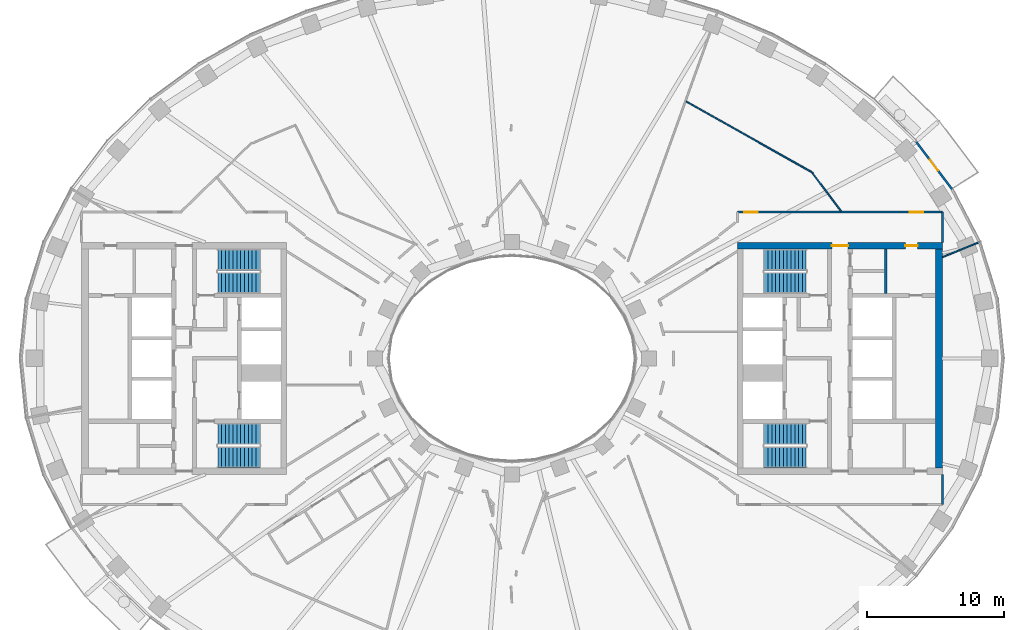
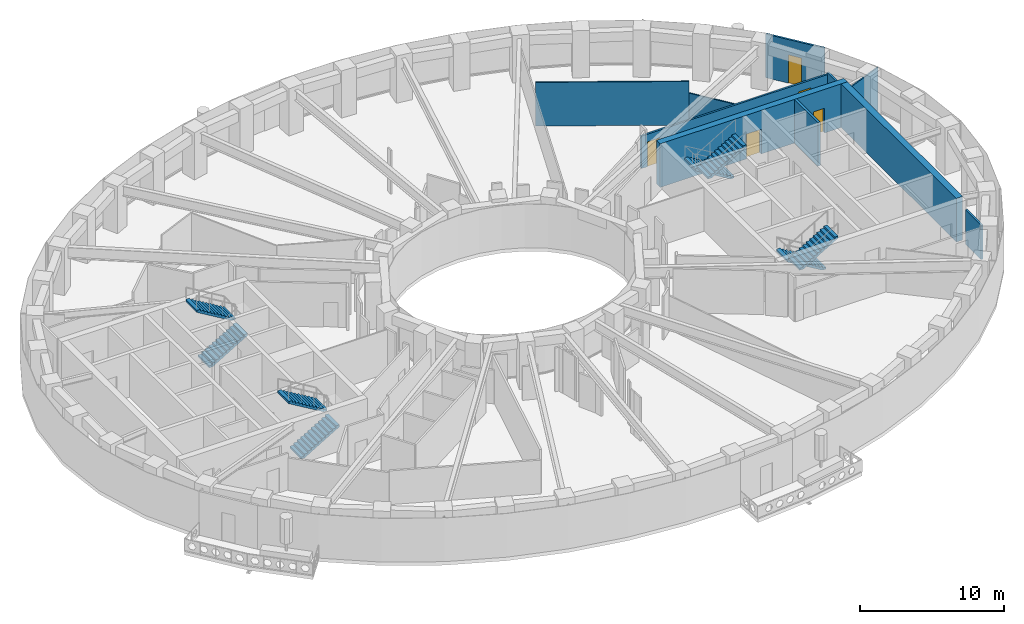
# One storey, part 7 of 16: 10 walls, 8 stair flights, 5 doors, 5 openings, 4 elements without a shape of their own.
"""IFC4 building model written with IfcOpenShell, lengths in metres."""

import ifcopenshell
import ifcopenshell.guid

model = None  # the IFC model being written
_history = None  # IfcOwnerHistory: only IFC2X3 demands one
_inside = {}  # id of a spatial element -> (the spatial element, [elements in it])
_under = {}  # id of a project, library or spatial element -> (it, [spatial elements below it])
_declared = {}  # id of a project -> (the project, [libraries it declares])
_typed = {}  # id of a type object -> (the type object, [elements of that type])
_made_of = {}  # id of a material, layer set ... -> (it, [elements and type objects made of it])


def new_model(schema):
    """Start an empty IFC model of exactly this schema.

    Asked for "IFC4X3", IfcOpenShell would pick the latest addendum, in which some entities
    have other attributes; the version numbers below select the first issue.
    IFC2X3 requires an IfcOwnerHistory on every rooted entity: one is made here for all.
    """
    global model, _history
    if schema == "IFC4X3":
        model = ifcopenshell.file(schema_version=(4, 3, 0, 0))
    else:
        model = ifcopenshell.file(schema=schema)
    _inside.clear()
    _under.clear()
    _declared.clear()
    _typed.clear()
    _made_of.clear()
    _history = None
    if model.schema == "IFC2X3":
        org = make("IfcOrganization", Name="unknown")
        user = make(
            "IfcPersonAndOrganization",
            ThePerson=make("IfcPerson", FamilyName="unknown"),
            TheOrganization=org,
        )
        app = make(
            "IfcApplication",
            ApplicationDeveloper=org,
            Version="unknown",
            ApplicationFullName="unknown",
            ApplicationIdentifier="unknown",
        )
        _history = make(
            "IfcOwnerHistory",
            OwningUser=user,
            OwningApplication=app,
            ChangeAction="ADDED",
            CreationDate=0,
        )
    return model


def make(cls, **values):
    """One entity of the class cls with the attributes given. An attribute that is None is left unset."""
    return model.create_entity(
        cls, **{name: value for name, value in values.items() if value is not None}
    )


def rooted(cls, **values):
    """An entity with a GlobalId (a new one), such as an element, a storey or a relation."""
    return make(cls, GlobalId=ifcopenshell.guid.new(), OwnerHistory=_history, **values)


def si_unit(unit_type, name, prefix=None):
    """IfcSIUnit, for example si_unit("LENGTHUNIT", "METRE", prefix="MILLI")."""
    return make("IfcSIUnit", UnitType=unit_type, Prefix=prefix, Name=name)


def assignment(units):
    """IfcUnitAssignment: the units of a project."""
    return None if units is None else make("IfcUnitAssignment", Units=units)


def point(xyz):
    """IfcCartesianPoint."""
    return None if xyz is None else make("IfcCartesianPoint", Coordinates=xyz)


def direction(xyz):
    """IfcDirection."""
    return None if xyz is None else make("IfcDirection", DirectionRatios=xyz)


def frame(location, z_axis=None, x_axis=None):
    """IfcAxis2Placement3D, a coordinate frame: its origin and axes. An axis left out is left unset."""
    return make(
        "IfcAxis2Placement3D",
        Location=point(location),
        Axis=direction(z_axis),
        RefDirection=direction(x_axis),
    )


def frame_2d(location, x_axis=None):
    """IfcAxis2Placement2D, a coordinate frame in the plane: its origin and x axis."""
    return make(
        "IfcAxis2Placement2D", Location=point(location), RefDirection=direction(x_axis)
    )


def origin():
    """The frame at (0, 0, 0) with its axes left unset."""
    return frame((0.0, 0.0, 0.0))


def place(relative_to, where):
    """IfcLocalPlacement: puts the frame where relative to a parent placement (None: the world)."""
    return make(
        "IfcLocalPlacement", PlacementRelTo=relative_to, RelativePlacement=where
    )


def context(
    kind, dimensions, precision=None, world=None, true_north=None, identifier=None
):
    """IfcGeometricRepresentationContext, for example the 3D "Model" context."""
    return make(
        "IfcGeometricRepresentationContext",
        ContextIdentifier=identifier,
        ContextType=kind,
        CoordinateSpaceDimension=dimensions,
        Precision=precision,
        WorldCoordinateSystem=world,
        TrueNorth=true_north,
    )


def subcontext(parent, identifier, kind, view, scale=None):
    """IfcGeometricRepresentationSubContext, for example "Body" below "Model"."""
    return make(
        "IfcGeometricRepresentationSubContext",
        ContextIdentifier=identifier,
        ContextType=kind,
        ParentContext=parent,
        TargetScale=scale,
        TargetView=view,
    )


def project(units=None, contexts=None):
    """IfcProject with its units and contexts."""
    return rooted(
        "IfcProject",
        Name="project",
        RepresentationContexts=contexts,
        UnitsInContext=assignment(units),
    )


def spatial(cls, under=None, at=None, **own):
    """A site, building, storey or space (cls), placed at a placement, below another one or the project."""
    s = rooted(cls, ObjectPlacement=at, **own)
    if under is not None:
        _under.setdefault(under.id(), (under, []))[1].append(s)
    return s


def polyline(points):
    """IfcPolyline through the points."""
    return make("IfcPolyline", Points=[point(p) for p in points])


def profile(cls, at=None, kind="AREA", **sizes):
    """A parametric profile (cls). Its sizes go by their IFC names, for example OverallWidth=200.0."""
    return make(cls, ProfileType=kind, Position=at, **sizes)


def rectangle(**sizes):
    """IfcRectangleProfileDef."""
    return profile("IfcRectangleProfileDef", **sizes)


def outline(outer, holes=None, kind="AREA"):
    """IfcArbitraryClosedProfileDef: a profile drawn as a closed curve; with holes, ...WithVoids."""
    if holes is None:
        return make("IfcArbitraryClosedProfileDef", ProfileType=kind, OuterCurve=outer)
    return make(
        "IfcArbitraryProfileDefWithVoids",
        ProfileType=kind,
        OuterCurve=outer,
        InnerCurves=holes,
    )


def extrude(swept, where, along, depth):
    """IfcExtrudedAreaSolid: the profile swept, set in the frame where, extruded along a direction by depth."""
    return make(
        "IfcExtrudedAreaSolid",
        SweptArea=swept,
        Position=where,
        ExtrudedDirection=direction(along),
        Depth=depth,
    )


def shape(context_of_items, identifier, shape_type, items):
    """IfcShapeRepresentation: the items that make up one representation, for example the "Body"."""
    return make(
        "IfcShapeRepresentation",
        ContextOfItems=context_of_items,
        RepresentationIdentifier=identifier,
        RepresentationType=shape_type,
        Items=items,
    )


def material(Name=None, Category=None):
    """IfcMaterial."""
    return make("IfcMaterial", Name=Name, Category=Category)


def layer(
    of_material, thickness, ventilated=None, Name=None, Category=None, Priority=None
):
    """IfcMaterialLayer: one layer of a wall or slab, of a material (None: an air gap)."""
    return make(
        "IfcMaterialLayer",
        Material=of_material,
        LayerThickness=thickness,
        IsVentilated=ventilated,
        Name=Name,
        Category=Category,
        Priority=Priority,
    )


def layer_set(layers, Name=None):
    """IfcMaterialLayerSet."""
    return make("IfcMaterialLayerSet", MaterialLayers=layers, LayerSetName=Name)


def made_of(thing, what):
    """Note that an element or type object is made of a material, layer set ...; save() writes the relation."""
    if what is not None:
        _made_of.setdefault(what.id(), (what, []))[1].append(thing)
    return thing


def type_object(cls, material=None, **own):
    """A type object (cls), such as IfcWallType, which elements share."""
    return made_of(rooted(cls, **own), material)


def element(
    cls,
    number,
    at=None,
    inside=None,
    cuts=None,
    type_object=None,
    material=None,
    context=None,
    identifier="Body",
    shape_type=None,
    held_by="IfcProductDefinitionShape",
    body=None,
    shapes=None,
    **own,
):
    """One element of the class cls, such as IfcWall. Its Tag is "e" and its number.

    at: its placement. inside: the storey or other place that contains it. cuts: it is an
    opening in that element (IfcRelVoidsElement). A single representation is given by context,
    identifier, shape_type and body (its items); several are given by shapes. held_by: the class
    of the entity that holds the representations. save() writes the other relations.
    """
    e = rooted(cls, Tag="e%d" % number, ObjectPlacement=at, **own)
    if body is not None:
        shapes = [shape(context, identifier, shape_type, body)]
    if shapes is not None:
        e.Representation = make(held_by, Representations=shapes)
    if inside is not None:
        _inside.setdefault(inside.id(), (inside, []))[1].append(e)
    if cuts is not None:
        rooted(
            "IfcRelVoidsElement", RelatingBuildingElement=cuts, RelatedOpeningElement=e
        )
    if type_object is not None:
        _typed.setdefault(type_object.id(), (type_object, []))[1].append(e)
    return made_of(e, material)


def fill(opening, filler):
    """IfcRelFillsElement: the door or window that sits in an opening."""
    return rooted(
        "IfcRelFillsElement",
        RelatingOpeningElement=opening,
        RelatedBuildingElement=filler,
    )


def aggregate(whole, parts):
    """IfcRelAggregates: a whole, such as a stair, and the parts it consists of."""
    return rooted("IfcRelAggregates", RelatingObject=whole, RelatedObjects=parts)


def save(model, path):
    """Write the relations noted so far, then the file.

    IfcRelAggregates (storeys below a building ...), IfcRelContainedInSpatialStructure (elements
    in a storey), IfcRelDefinesByType, IfcRelAssociatesMaterial and IfcRelDeclares: one each for
    every whole, place, type object, material and project.
    """
    for whole, parts in _under.values():
        aggregate(whole, parts)
    for where, things in _inside.values():
        rooted(
            "IfcRelContainedInSpatialStructure",
            RelatedElements=things,
            RelatingStructure=where,
        )
    for kind, things in _typed.values():
        rooted("IfcRelDefinesByType", RelatedObjects=things, RelatingType=kind)
    for what, things in _made_of.values():
        rooted("IfcRelAssociatesMaterial", RelatedObjects=things, RelatingMaterial=what)
    for by, libraries in _declared.values():
        rooted("IfcRelDeclares", RelatingContext=by, RelatedDefinitions=libraries)
    model.write(path)


model = new_model("IFC4")

# Units and contexts
model_context = context("Model", 3, precision=1e-05, world=origin(), true_north=direction((0.0, 1.0)))
body_context = subcontext(model_context, "Body", "Model", "MODEL_VIEW")
ifc_project = project(units=[si_unit("LENGTHUNIT", "METRE"), si_unit("AREAUNIT", "SQUARE_METRE"), si_unit("VOLUMEUNIT", "CUBIC_METRE"), si_unit("PLANEANGLEUNIT", "RADIAN"), si_unit("MASSUNIT", "GRAM", prefix="KILO")], contexts=[model_context])

# Site, building, storey
site_placement = place(None, origin())
site = spatial("IfcSite", under=ifc_project, at=site_placement, CompositionType="ELEMENT")
building_placement = place(site_placement, origin())
building = spatial("IfcBuilding", under=site, at=building_placement, Name="Noorbagh Ring Tower", CompositionType="ELEMENT")
storey_placement = place(building_placement, frame((0.0, 0.0, 150.0)))
storey = spatial("IfcBuildingStorey", under=building, at=storey_placement, Name="L34", CompositionType="ELEMENT", Elevation=150.0)

# Wall
ifc_material_1 = material(Name="Gypsum board on steel studs", Category="steel")
ifc_layer_1 = layer(ifc_material_1, 0.199951171875)
ifc_layer_set_1 = layer_set([ifc_layer_1], Name="Gypsum board on steel studs")
wall_type_1 = type_object("IfcWallType", Name="CORE-PARTITION-200", PredefinedType="PARTITIONING", material=ifc_layer_set_1)
wall_1_placement = place(storey_placement, frame((27.35009765625, 4.75, 0.0), z_axis=(0.0, 0.0, 1.0), x_axis=(0.0, 1.0, 0.0)))
element("IfcWall", 1, at=wall_1_placement, inside=storey, type_object=wall_type_1, Name="Core partition E", PredefinedType="PARTITIONING", context=body_context, shape_type="SweptSolid", body=[
    extrude(rectangle(XDim=3.25, YDim=0.199951171875, at=frame_2d((1.625, 0.0))), origin(), (0.0, 0.0, 1.0), 3.699951171875),
])

# Wall, openings, doors
ifc_material_2 = material(Name="Concrete C60/75", Category="concrete")
ifc_layer_2 = layer(ifc_material_2, 0.5)
ifc_layer_set_2 = layer_set([ifc_layer_2], Name="Concrete C60/75")
wall_type_2 = type_object("IfcWallType", Name="CORE-WALL-500-C60-75-EI240", PredefinedType="SHEAR", material=ifc_layer_set_2)
wall_2_placement = place(storey_placement, frame((16.5, 8.25, 0.0), z_axis=(0.0, 0.0, 1.0), x_axis=(1.0, 0.0, 0.0)))
wall_2 = element("IfcWall", 2, at=wall_2_placement, inside=storey, type_object=wall_type_2, Name="Core wall E", PredefinedType="SHEAR", context=body_context, shape_type="SweptSolid", body=[
    extrude(rectangle(XDim=15.0, YDim=0.5, at=frame_2d((7.5, 0.0))), origin(), (0.0, 0.0, 1.0), 3.699951171875),
])
opening_1_placement = place(wall_2_placement, frame((6.89990234375, 0.0, 0.0)))
opening_1 = element("IfcOpeningElement", 3, at=opening_1_placement, cuts=wall_2, Name="Opening L34-CE11", PredefinedType="OPENING", context=body_context, shape_type="SweptSolid", body=[
    extrude(rectangle(XDim=1.199951171875, YDim=2.10009765625, at=frame_2d((0.60009765625, 1.050048828125))), frame((0.0, 0.260009765625, 0.0), z_axis=(0.0, -1.0, 0.0), x_axis=(1.0, 0.0, 0.0)), (0.0, 0.0, 1.0), 0.52001953125),
])
opening_2_placement = place(wall_2_placement, frame((12.27490234375, 0.0, 0.0)))
opening_2 = element("IfcOpeningElement", 4, at=opening_2_placement, cuts=wall_2, Name="Opening L34-CE15", PredefinedType="OPENING", context=body_context, shape_type="SweptSolid", body=[
    extrude(rectangle(XDim=0.89990234375, YDim=2.10009765625, at=frame_2d((0.449951171875, 1.050048828125))), frame((0.0, 0.260009765625, 0.0), z_axis=(0.0, -1.0, 0.0), x_axis=(1.0, 0.0, 0.0)), (0.0, 0.0, 1.0), 0.52001953125),
])
ifc_material_3 = material(Name="Steel door leaf", Category="steel")
door_type_1 = type_object("IfcDoorType", Name="CORE-DOOR-DROOM", OperationType="SINGLE_SWING_LEFT", PredefinedType="DOOR", material=ifc_material_3)
door_1_placement = place(opening_2_placement, origin())
door_1 = element("IfcDoor", 5, at=door_1_placement, inside=storey, type_object=door_type_1, Name="Core room door L34-CE15", OperationType="SINGLE_SWING_LEFT", OverallHeight=2.10009765625, OverallWidth=0.89990234375, PredefinedType="DOOR", context=body_context, shape_type="SweptSolid", body=[
    extrude(rectangle(XDim=0.89990234375, YDim=2.10009765625, at=frame_2d((0.449951171875, 1.050048828125))), frame((0.0, 0.02490234375, 0.0), z_axis=(0.0, -1.0, 0.0), x_axis=(1.0, 0.0, 0.0)), (0.0, 0.0, 1.0), 0.050048828125),
])
fill(opening_2, door_1)
ifc_material_4 = material(Name="Steel door leaf", Category="steel")
door_type_2 = type_object("IfcDoorType", Name="CORE-DOOR-PORT", OperationType="DOUBLE_DOOR_DOUBLE_SWING", PredefinedType="DOOR", material=ifc_material_4)
door_2_placement = place(opening_1_placement, origin())
door_2 = element("IfcDoor", 6, at=door_2_placement, inside=storey, type_object=door_type_2, Name="Core entrance door L34-CE11", OperationType="DOUBLE_DOOR_DOUBLE_SWING", OverallHeight=2.10009765625, OverallWidth=1.199951171875, PredefinedType="DOOR", context=body_context, shape_type="SweptSolid", body=[
    extrude(rectangle(XDim=1.199951171875, YDim=2.10009765625, at=frame_2d((0.60009765625, 1.050048828125))), frame((0.0, 0.02490234375, 0.0), z_axis=(0.0, -1.0, 0.0), x_axis=(1.0, 0.0, 0.0)), (0.0, 0.0, 1.0), 0.050048828125),
])
fill(opening_1, door_2)

# Wall
wall_3_placement = place(storey_placement, frame((31.25, -8.0, 0.0), z_axis=(0.0, 0.0, 1.0), x_axis=(0.0, 1.0, 0.0)))
element("IfcWall", 7, at=wall_3_placement, inside=storey, type_object=wall_type_2, Name="Core wall E", PredefinedType="SHEAR", context=body_context, shape_type="SweptSolid", body=[
    extrude(rectangle(XDim=16.0, YDim=0.5, at=frame_2d((8.0, 0.0))), origin(), (0.0, 0.0, 1.0), 3.699951171875),
])

# Wall, openings, doors
ifc_material_5 = material(Name="Gypsum board on steel studs", Category="steel")
ifc_layer_3 = layer(ifc_material_5, 0.14990234375)
ifc_layer_set_3 = layer_set([ifc_layer_3], Name="Gypsum board on steel studs")
wall_type_3 = type_object("IfcWallType", Name="CORRIDOR PARTITION 150 EI 30", PredefinedType="PARTITIONING", material=ifc_layer_set_3)
wall_4_placement = place(storey_placement, frame((16.5, 10.699951171875, 0.0), z_axis=(0.0, 0.0, 1.0), x_axis=(1.0, 0.0, 0.0)))
wall_4 = element("IfcWall", 8, at=wall_4_placement, inside=storey, type_object=wall_type_3, Name="L34/wall/P94", PredefinedType="PARTITIONING", context=body_context, shape_type="SweptSolid", body=[
    extrude(rectangle(XDim=15.0, YDim=0.14990234375, at=frame_2d((7.5, 0.0))), origin(), (0.0, 0.0, 1.0), 2.75),
])
opening_3_placement = place(wall_4_placement, frame((0.489990234375, 0.0, 0.0)))
opening_3 = element("IfcOpeningElement", 9, at=opening_3_placement, cuts=wall_4, Name="Opening D1", PredefinedType="OPENING", context=body_context, shape_type="SweptSolid", body=[
    extrude(rectangle(XDim=1.0, YDim=2.10009765625, at=frame_2d((0.5, 1.050048828125))), frame((0.0, 0.0849609375, 0.0), z_axis=(0.0, -1.0, 0.0), x_axis=(1.0, 0.0, 0.0)), (0.0, 0.0, 1.0), 0.169921875),
])
opening_4_placement = place(wall_4_placement, frame((12.60009765625, 0.0, 0.0)))
opening_4 = element("IfcOpeningElement", 10, at=opening_4_placement, cuts=wall_4, Name="Opening D1", PredefinedType="OPENING", context=body_context, shape_type="SweptSolid", body=[
    extrude(rectangle(XDim=1.0, YDim=2.10009765625, at=frame_2d((0.5, 1.050048828125))), frame((0.0, 0.0849609375, 0.0), z_axis=(0.0, -1.0, 0.0), x_axis=(1.0, 0.0, 0.0)), (0.0, 0.0, 1.0), 0.169921875),
])
ifc_material_6 = material(Name="Timber, painted", Category="wood")
door_type_3 = type_object("IfcDoorType", Name="DOOR 1000 X 2100 FD30", OperationType="SINGLE_SWING_LEFT", PredefinedType="DOOR", material=ifc_material_6)
door_3_placement = place(opening_3_placement, origin())
door_3 = element("IfcDoor", 11, at=door_3_placement, inside=storey, type_object=door_type_3, Name="L34-D12", OperationType="SINGLE_SWING_RIGHT", OverallHeight=2.10009765625, OverallWidth=1.0, PredefinedType="DOOR", context=body_context, shape_type="SweptSolid", body=[
    extrude(rectangle(XDim=1.0, YDim=2.10009765625, at=frame_2d((0.5, 1.050048828125))), frame((0.0, 0.02490234375, 0.0), z_axis=(0.0, -1.0, 0.0), x_axis=(1.0, 0.0, 0.0)), (0.0, 0.0, 1.0), 0.050048828125),
])
fill(opening_3, door_3)
door_4_placement = place(opening_4_placement, origin())
door_4 = element("IfcDoor", 12, at=door_4_placement, inside=storey, type_object=door_type_3, Name="L34-D13", OperationType="SINGLE_SWING_LEFT", OverallHeight=2.10009765625, OverallWidth=1.0, PredefinedType="DOOR", context=body_context, shape_type="SweptSolid", body=[
    extrude(rectangle(XDim=1.0, YDim=2.10009765625, at=frame_2d((0.5, 1.050048828125))), frame((0.0, 0.02490234375, 0.0), z_axis=(0.0, -1.0, 0.0), x_axis=(1.0, 0.0, 0.0)), (0.0, 0.0, 1.0), 0.050048828125),
])
fill(opening_4, door_4)

# Walls
for number, where, z_axis, x_axis, name in (
    (13, (31.5, -10.699951171875, 0.0), (0.0, 0.0, 1.0), (0.0, 1.0, 0.0), "L34/wall/P97"),
    (14, (31.5, 8.5, 0.0), (0.0, 0.0, 1.0), (0.0, 1.0, 0.0), "L34/wall/P99"),
):
    element("IfcWall", number, at=place(storey_placement, frame(where, z_axis=z_axis, x_axis=x_axis)), inside=storey, type_object=wall_type_3, Name=name, PredefinedType="PARTITIONING", context=body_context, shape_type="SweptSolid", body=[
        extrude(rectangle(XDim=2.199951171875, YDim=0.14990234375, at=frame_2d((1.10009765625, 0.0))), origin(), (0.0, 0.0, 1.0), 2.89990234375),
    ])

# Wall, opening, door
ifc_material_7 = material(Name="Insulated aluminium clad panel", Category="aluminium")
ifc_layer_4 = layer(ifc_material_7, 0.14990234375)
ifc_layer_set_4 = layer_set([ifc_layer_4], Name="Insulated aluminium clad panel")
wall_type_4 = type_object("IfcWallType", Name="ENV-WALL-DOOR", PredefinedType="STANDARD", material=ifc_layer_set_4)
wall_5_placement = place(storey_placement, frame((32.20751953125, 12.37353515625, 0.0), z_axis=(0.0, 0.0, 1.0), x_axis=(-0.604045763106, 0.796949632081, 0.0)))
wall_5 = element("IfcWall", 15, at=wall_5_placement, inside=storey, type_object=wall_type_4, Name="Balcony door wall chord 04", PredefinedType="STANDARD", context=body_context, shape_type="SweptSolid", body=[
    extrude(rectangle(XDim=4.42333984375, YDim=0.14990234375, at=frame_2d((2.211669921875, 0.0))), origin(), (0.0, 0.0, 1.0), 3.699951171875),
])
opening_5_placement = place(wall_5_placement, frame((1.711669921875, 0.0, 0.0)))
opening_5 = element("IfcOpeningElement", 16, at=opening_5_placement, cuts=wall_5, Name="Opening D-BL", PredefinedType="OPENING", context=body_context, shape_type="SweptSolid", body=[
    extrude(rectangle(XDim=1.0, YDim=2.39990234375, at=frame_2d((0.5, 1.199951171875))), frame((0.0, 0.0849609375, 0.0), z_axis=(0.0, -1.0, 0.0), x_axis=(1.0, 0.0, 0.0)), (0.0, 0.0, 1.0), 0.169921875),
])
ifc_material_8 = material(Name="Aluminium and glass", Category="aluminium")
door_type_4 = type_object("IfcDoorType", Name="ENV-DOOR-BALCONY", OperationType="SINGLE_SWING_LEFT", PredefinedType="DOOR", material=ifc_material_8)
door_5_placement = place(opening_5_placement, origin())
door_5 = element("IfcDoor", 17, at=door_5_placement, inside=storey, type_object=door_type_4, Name="Balcony door chord 04", OperationType="SINGLE_SWING_LEFT", OverallHeight=2.39990234375, OverallWidth=1.0, PredefinedType="DOOR", context=body_context, shape_type="SweptSolid", body=[
    extrude(rectangle(XDim=1.0, YDim=2.39990234375, at=frame_2d((0.5, 1.199951171875))), frame((0.0, 0.02490234375, 0.0), z_axis=(0.0, -1.0, 0.0), x_axis=(1.0, 0.0, 0.0)), (0.0, 0.0, 1.0), 0.050048828125),
])
fill(opening_5, door_5)

# Walls
ifc_material_9 = material(Name="Gypsum board on steel studs", Category="steel")
ifc_layer_5 = layer(ifc_material_9, 0.10009765625)
ifc_layer_set_5 = layer_set([ifc_layer_5], Name="Gypsum board on steel studs")
wall_type_5 = type_object("IfcWallType", Name="PARTITION 100 GYPSUM", PredefinedType="PARTITIONING", material=ifc_layer_set_5)
wall_6_placement = place(storey_placement, frame((12.737060546875, 18.80908203125, 0.0), z_axis=(0.0, 0.0, 1.0), x_axis=(0.871198990541, -0.490930054978, 0.0)))
element("IfcWall", 18, at=wall_6_placement, inside=storey, type_object=wall_type_5, Name="L34/wall/P90", PredefinedType="PARTITIONING", context=body_context, shape_type="SweptSolid", body=[
    extrude(rectangle(XDim=10.673583984375, YDim=0.10009765625, at=frame_2d((5.3369140625, 0.0))), origin(), (0.0, 0.0, 1.0), 3.699951171875),
])
wall_7_placement = place(storey_placement, frame((22.001953125, 13.530029296875, 0.0), z_axis=(0.0, 0.0, 1.0), x_axis=(0.602805050744, -0.797888507749, 0.0)))
element("IfcWall", 19, at=wall_7_placement, inside=storey, type_object=wall_type_5, Name="L34/wall/P95", PredefinedType="PARTITIONING", context=body_context, shape_type="SweptSolid", body=[
    extrude(rectangle(XDim=3.448974609375, YDim=0.10009765625, at=frame_2d((1.724609375, 0.0))), origin(), (0.0, 0.0, 1.0), 2.75),
])
wall_8_placement = place(storey_placement, frame((31.5, 7.409912109375, 0.0), z_axis=(0.0, 0.0, 1.0), x_axis=(0.925344112436, 0.379128307542, 0.0)))
element("IfcWall", 20, at=wall_8_placement, inside=storey, type_object=wall_type_5, Name="L34/wall/P98", PredefinedType="PARTITIONING", context=body_context, shape_type="SweptSolid", body=[
    extrude(rectangle(XDim=2.954345703125, YDim=0.10009765625, at=frame_2d((1.47705078125, 0.0))), origin(), (0.0, 0.0, 1.0), 3.699951171875),
])

# Stair, stair flights
ifc_material_10 = material(Name="Concrete C40/50", Category="concrete")
stair_type = type_object("IfcStairType", Name="CORE-STAIR", PredefinedType="HALF_TURN_STAIR", material=ifc_material_10)
stair_1_placement = place(storey_placement, origin())
stair_1 = element("IfcStair", 21, at=stair_1_placement, inside=storey, type_object=stair_type, Name="L34 Exit stair ST1", PredefinedType="HALF_TURN_STAIR")
ifc_material_11 = material(Name="Concrete C40/50", Category="concrete")
stair_flight_type = type_object("IfcStairFlightType", Name="CORE-STAIR-FLIGHT", PredefinedType="STRAIGHT", material=ifc_material_11)
stair_flight_1_placement = place(storey_placement, frame((-21.530029296875, 5.52490234375, 0.0), z_axis=(0.0, 0.0, 1.0), x_axis=(1.0, 0.0, 0.0)))
stair_flight_1 = element("IfcStairFlight", 22, at=stair_flight_1_placement, type_object=stair_flight_type, Name="ST1 flight 1", NumberOfRisers=12, NumberOfTreads=11, PredefinedType="STRAIGHT", RiserHeight=0.166666667, TreadLength=0.28, context=body_context, shape_type="SweptSolid", body=[
    extrude(outline(polyline([(0.0, 0.0), (0.0, 0.166748046875), (0.280029296875, 0.166748046875), (0.280029296875, 0.333251953125), (0.56005859375, 0.333251953125), (0.56005859375, 0.5), (0.840087890625, 0.5), (0.840087890625, 0.666748046875), (1.1201171875, 0.666748046875), (1.1201171875, 0.833251953125), (1.39990234375, 0.833251953125), (1.39990234375, 1.0), (1.679931640625, 1.0), (1.679931640625, 1.166748046875), (1.9599609375, 1.166748046875), (1.9599609375, 1.333251953125), (2.239990234375, 1.333251953125), (2.239990234375, 1.5), (2.52001953125, 1.5), (2.52001953125, 1.666748046875), (2.800048828125, 1.666748046875), (2.800048828125, 1.833251953125), (3.080078125, 1.833251953125), (3.080078125, 2.0), (3.080078125, 1.658935546875), (0.29296875, 0.0), (0.0, 0.0)])), frame((0.0, 0.77490234375, 0.0), z_axis=(0.0, -1.0, 0.0), x_axis=(1.0, 0.0, 0.0)), (0.0, 0.0, 1.0), 1.550048828125),
])
stair_flight_2_placement = place(storey_placement, frame((-18.449951171875, 7.22509765625, 2.0), z_axis=(0.0, 0.0, 1.0), x_axis=(-1.0, 0.0, 0.0)))
stair_flight_2 = element("IfcStairFlight", 23, at=stair_flight_2_placement, type_object=stair_flight_type, Name="ST1 flight 2", NumberOfRisers=12, NumberOfTreads=11, PredefinedType="STRAIGHT", RiserHeight=0.166666667, TreadLength=0.28, context=body_context, shape_type="SweptSolid", body=[
    extrude(outline(polyline([(0.0, 0.0), (0.0, 0.166748046875), (0.280029296875, 0.166748046875), (0.280029296875, 0.333251953125), (0.56005859375, 0.333251953125), (0.56005859375, 0.5), (0.840087890625, 0.5), (0.840087890625, 0.666748046875), (1.1201171875, 0.666748046875), (1.1201171875, 0.833251953125), (1.39990234375, 0.833251953125), (1.39990234375, 1.0), (1.679931640625, 1.0), (1.679931640625, 1.166748046875), (1.9599609375, 1.166748046875), (1.9599609375, 1.333251953125), (2.239990234375, 1.333251953125), (2.239990234375, 1.5), (2.52001953125, 1.5), (2.52001953125, 1.666748046875), (2.800048828125, 1.666748046875), (2.800048828125, 1.833251953125), (3.080078125, 1.833251953125), (3.080078125, 2.0), (3.080078125, 1.658935546875), (0.29296875, 0.0), (0.0, 0.0)])), frame((0.0, 0.77490234375, 0.0), z_axis=(0.0, -1.0, 0.0), x_axis=(1.0, 0.0, 0.0)), (0.0, 0.0, 1.0), 1.550048828125),
])
aggregate(stair_1, [stair_flight_1, stair_flight_2])

stair_2_placement = place(storey_placement, origin())
stair_2 = element("IfcStair", 24, at=stair_2_placement, inside=storey, type_object=stair_type, Name="L34 Exit stair ST2", PredefinedType="HALF_TURN_STAIR")
stair_flight_3_placement = place(storey_placement, frame((-21.530029296875, -7.22509765625, 0.0), z_axis=(0.0, 0.0, 1.0), x_axis=(1.0, 0.0, 0.0)))
stair_flight_3 = element("IfcStairFlight", 25, at=stair_flight_3_placement, type_object=stair_flight_type, Name="ST2 flight 1", NumberOfRisers=12, NumberOfTreads=11, PredefinedType="STRAIGHT", RiserHeight=0.166666667, TreadLength=0.28, context=body_context, shape_type="SweptSolid", body=[
    extrude(outline(polyline([(0.0, 0.0), (0.0, 0.166748046875), (0.280029296875, 0.166748046875), (0.280029296875, 0.333251953125), (0.56005859375, 0.333251953125), (0.56005859375, 0.5), (0.840087890625, 0.5), (0.840087890625, 0.666748046875), (1.1201171875, 0.666748046875), (1.1201171875, 0.833251953125), (1.39990234375, 0.833251953125), (1.39990234375, 1.0), (1.679931640625, 1.0), (1.679931640625, 1.166748046875), (1.9599609375, 1.166748046875), (1.9599609375, 1.333251953125), (2.239990234375, 1.333251953125), (2.239990234375, 1.5), (2.52001953125, 1.5), (2.52001953125, 1.666748046875), (2.800048828125, 1.666748046875), (2.800048828125, 1.833251953125), (3.080078125, 1.833251953125), (3.080078125, 2.0), (3.080078125, 1.658935546875), (0.29296875, 0.0), (0.0, 0.0)])), frame((0.0, 0.77490234375, 0.0), z_axis=(0.0, -1.0, 0.0), x_axis=(1.0, 0.0, 0.0)), (0.0, 0.0, 1.0), 1.550048828125),
])
stair_flight_4_placement = place(storey_placement, frame((-18.449951171875, -5.52490234375, 2.0), z_axis=(0.0, 0.0, 1.0), x_axis=(-1.0, 0.0, 0.0)))
stair_flight_4 = element("IfcStairFlight", 26, at=stair_flight_4_placement, type_object=stair_flight_type, Name="ST2 flight 2", NumberOfRisers=12, NumberOfTreads=11, PredefinedType="STRAIGHT", RiserHeight=0.166666667, TreadLength=0.28, context=body_context, shape_type="SweptSolid", body=[
    extrude(outline(polyline([(0.0, 0.0), (0.0, 0.166748046875), (0.280029296875, 0.166748046875), (0.280029296875, 0.333251953125), (0.56005859375, 0.333251953125), (0.56005859375, 0.5), (0.840087890625, 0.5), (0.840087890625, 0.666748046875), (1.1201171875, 0.666748046875), (1.1201171875, 0.833251953125), (1.39990234375, 0.833251953125), (1.39990234375, 1.0), (1.679931640625, 1.0), (1.679931640625, 1.166748046875), (1.9599609375, 1.166748046875), (1.9599609375, 1.333251953125), (2.239990234375, 1.333251953125), (2.239990234375, 1.5), (2.52001953125, 1.5), (2.52001953125, 1.666748046875), (2.800048828125, 1.666748046875), (2.800048828125, 1.833251953125), (3.080078125, 1.833251953125), (3.080078125, 2.0), (3.080078125, 1.658935546875), (0.29296875, 0.0), (0.0, 0.0)])), frame((0.0, 0.77490234375, 0.0), z_axis=(0.0, -1.0, 0.0), x_axis=(1.0, 0.0, 0.0)), (0.0, 0.0, 1.0), 1.550048828125),
])
aggregate(stair_2, [stair_flight_3, stair_flight_4])

stair_3_placement = place(storey_placement, origin())
stair_3 = element("IfcStair", 27, at=stair_3_placement, inside=storey, type_object=stair_type, Name="L34 Exit stair ST3", PredefinedType="HALF_TURN_STAIR")
stair_flight_5_placement = place(storey_placement, frame((21.530029296875, 7.22509765625, 0.0), z_axis=(0.0, 0.0, 1.0), x_axis=(-1.0, 0.0, 0.0)))
stair_flight_5 = element("IfcStairFlight", 28, at=stair_flight_5_placement, type_object=stair_flight_type, Name="ST3 flight 1", NumberOfRisers=12, NumberOfTreads=11, PredefinedType="STRAIGHT", RiserHeight=0.166666667, TreadLength=0.28, context=body_context, shape_type="SweptSolid", body=[
    extrude(outline(polyline([(0.0, 0.0), (0.0, 0.166748046875), (0.280029296875, 0.166748046875), (0.280029296875, 0.333251953125), (0.56005859375, 0.333251953125), (0.56005859375, 0.5), (0.840087890625, 0.5), (0.840087890625, 0.666748046875), (1.1201171875, 0.666748046875), (1.1201171875, 0.833251953125), (1.39990234375, 0.833251953125), (1.39990234375, 1.0), (1.679931640625, 1.0), (1.679931640625, 1.166748046875), (1.9599609375, 1.166748046875), (1.9599609375, 1.333251953125), (2.239990234375, 1.333251953125), (2.239990234375, 1.5), (2.52001953125, 1.5), (2.52001953125, 1.666748046875), (2.800048828125, 1.666748046875), (2.800048828125, 1.833251953125), (3.080078125, 1.833251953125), (3.080078125, 2.0), (3.080078125, 1.658935546875), (0.29296875, 0.0), (0.0, 0.0)])), frame((0.0, 0.77490234375, 0.0), z_axis=(0.0, -1.0, 0.0), x_axis=(1.0, 0.0, 0.0)), (0.0, 0.0, 1.0), 1.550048828125),
])
stair_flight_6_placement = place(storey_placement, frame((18.449951171875, 5.52490234375, 2.0), z_axis=(0.0, 0.0, 1.0), x_axis=(1.0, 0.0, 0.0)))
stair_flight_6 = element("IfcStairFlight", 29, at=stair_flight_6_placement, type_object=stair_flight_type, Name="ST3 flight 2", NumberOfRisers=12, NumberOfTreads=11, PredefinedType="STRAIGHT", RiserHeight=0.166666667, TreadLength=0.28, context=body_context, shape_type="SweptSolid", body=[
    extrude(outline(polyline([(0.0, 0.0), (0.0, 0.166748046875), (0.280029296875, 0.166748046875), (0.280029296875, 0.333251953125), (0.56005859375, 0.333251953125), (0.56005859375, 0.5), (0.840087890625, 0.5), (0.840087890625, 0.666748046875), (1.1201171875, 0.666748046875), (1.1201171875, 0.833251953125), (1.39990234375, 0.833251953125), (1.39990234375, 1.0), (1.679931640625, 1.0), (1.679931640625, 1.166748046875), (1.9599609375, 1.166748046875), (1.9599609375, 1.333251953125), (2.239990234375, 1.333251953125), (2.239990234375, 1.5), (2.52001953125, 1.5), (2.52001953125, 1.666748046875), (2.800048828125, 1.666748046875), (2.800048828125, 1.833251953125), (3.080078125, 1.833251953125), (3.080078125, 2.0), (3.080078125, 1.658935546875), (0.29296875, 0.0), (0.0, 0.0)])), frame((0.0, 0.77490234375, 0.0), z_axis=(0.0, -1.0, 0.0), x_axis=(1.0, 0.0, 0.0)), (0.0, 0.0, 1.0), 1.550048828125),
])
aggregate(stair_3, [stair_flight_5, stair_flight_6])

stair_4_placement = place(storey_placement, origin())
stair_4 = element("IfcStair", 30, at=stair_4_placement, inside=storey, type_object=stair_type, Name="L34 Exit stair ST4", PredefinedType="HALF_TURN_STAIR")
stair_flight_7_placement = place(storey_placement, frame((21.530029296875, -5.52490234375, 0.0), z_axis=(0.0, 0.0, 1.0), x_axis=(-1.0, 0.0, 0.0)))
stair_flight_7 = element("IfcStairFlight", 31, at=stair_flight_7_placement, type_object=stair_flight_type, Name="ST4 flight 1", NumberOfRisers=12, NumberOfTreads=11, PredefinedType="STRAIGHT", RiserHeight=0.166666667, TreadLength=0.28, context=body_context, shape_type="SweptSolid", body=[
    extrude(outline(polyline([(0.0, 0.0), (0.0, 0.166748046875), (0.280029296875, 0.166748046875), (0.280029296875, 0.333251953125), (0.56005859375, 0.333251953125), (0.56005859375, 0.5), (0.840087890625, 0.5), (0.840087890625, 0.666748046875), (1.1201171875, 0.666748046875), (1.1201171875, 0.833251953125), (1.39990234375, 0.833251953125), (1.39990234375, 1.0), (1.679931640625, 1.0), (1.679931640625, 1.166748046875), (1.9599609375, 1.166748046875), (1.9599609375, 1.333251953125), (2.239990234375, 1.333251953125), (2.239990234375, 1.5), (2.52001953125, 1.5), (2.52001953125, 1.666748046875), (2.800048828125, 1.666748046875), (2.800048828125, 1.833251953125), (3.080078125, 1.833251953125), (3.080078125, 2.0), (3.080078125, 1.658935546875), (0.29296875, 0.0), (0.0, 0.0)])), frame((0.0, 0.77490234375, 0.0), z_axis=(0.0, -1.0, 0.0), x_axis=(1.0, 0.0, 0.0)), (0.0, 0.0, 1.0), 1.550048828125),
])
stair_flight_8_placement = place(storey_placement, frame((18.449951171875, -7.22509765625, 2.0), z_axis=(0.0, 0.0, 1.0), x_axis=(1.0, 0.0, 0.0)))
stair_flight_8 = element("IfcStairFlight", 32, at=stair_flight_8_placement, type_object=stair_flight_type, Name="ST4 flight 2", NumberOfRisers=12, NumberOfTreads=11, PredefinedType="STRAIGHT", RiserHeight=0.166666667, TreadLength=0.28, context=body_context, shape_type="SweptSolid", body=[
    extrude(outline(polyline([(0.0, 0.0), (0.0, 0.166748046875), (0.280029296875, 0.166748046875), (0.280029296875, 0.333251953125), (0.56005859375, 0.333251953125), (0.56005859375, 0.5), (0.840087890625, 0.5), (0.840087890625, 0.666748046875), (1.1201171875, 0.666748046875), (1.1201171875, 0.833251953125), (1.39990234375, 0.833251953125), (1.39990234375, 1.0), (1.679931640625, 1.0), (1.679931640625, 1.166748046875), (1.9599609375, 1.166748046875), (1.9599609375, 1.333251953125), (2.239990234375, 1.333251953125), (2.239990234375, 1.5), (2.52001953125, 1.5), (2.52001953125, 1.666748046875), (2.800048828125, 1.666748046875), (2.800048828125, 1.833251953125), (3.080078125, 1.833251953125), (3.080078125, 2.0), (3.080078125, 1.658935546875), (0.29296875, 0.0), (0.0, 0.0)])), frame((0.0, 0.77490234375, 0.0), z_axis=(0.0, -1.0, 0.0), x_axis=(1.0, 0.0, 0.0)), (0.0, 0.0, 1.0), 1.550048828125),
])
aggregate(stair_4, [stair_flight_7, stair_flight_8])

save(model, "model.ifc")
